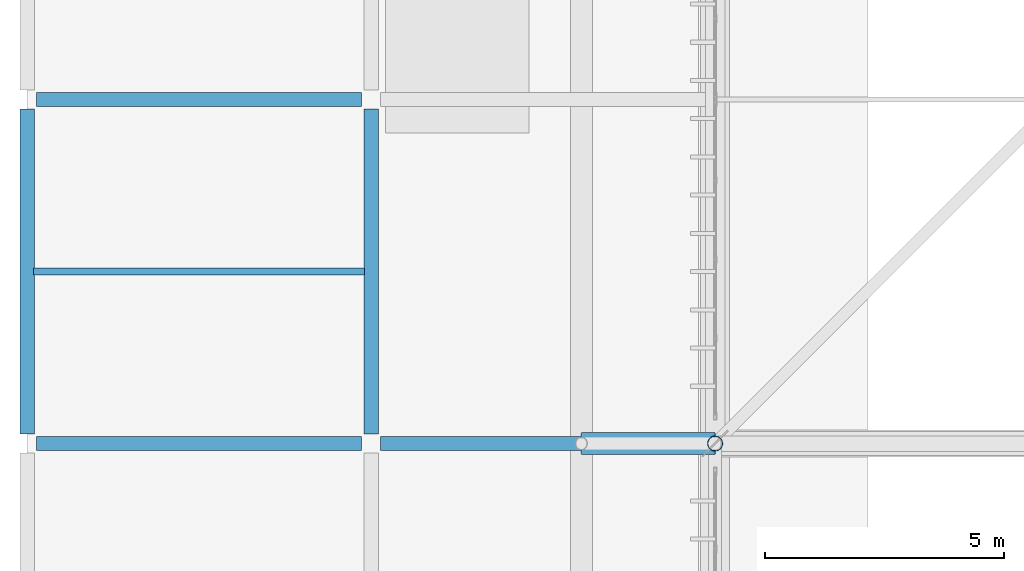
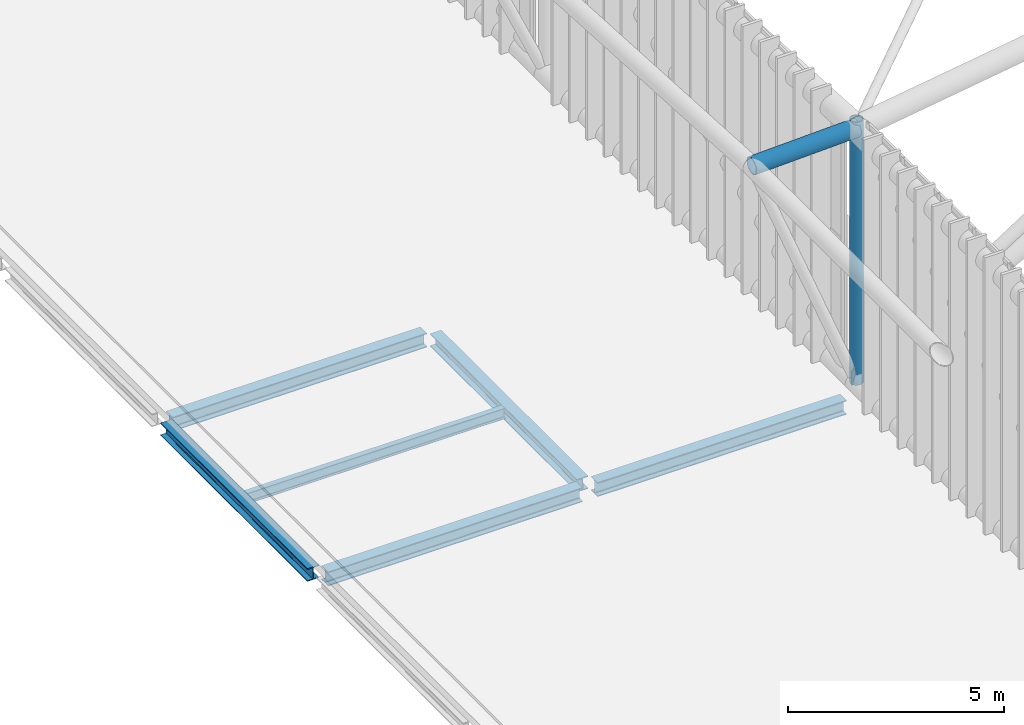
# One storey, part 174 of 397: 7 beams, 1 member.
"""IFC4 building model written with IfcOpenShell, lengths in metres."""

from ifc_helpers import new_model, si_unit, direction, frame, origin, origin_2d, place, context, subcontext, project, spatial, hollow_circle, i_section, extrude, material, material_profile, profile_set, type_object, element, save


model = new_model("IFC4")

# Units and contexts
model_context = context("Model", 3, precision=1e-05, world=origin(), true_north=direction((0.0, 1.0)))
body_context = subcontext(model_context, "Body", "Model", "MODEL_VIEW")
ifc_project = project(units=[si_unit("LENGTHUNIT", "METRE"), si_unit("AREAUNIT", "SQUARE_METRE"), si_unit("VOLUMEUNIT", "CUBIC_METRE"), si_unit("PLANEANGLEUNIT", "RADIAN"), si_unit("MASSUNIT", "GRAM", prefix="KILO")], contexts=[model_context])

# Site, building, storey
site_placement = place(None, origin())
site = spatial("IfcSite", under=ifc_project, at=site_placement, CompositionType="ELEMENT")
building_placement = place(site_placement, origin())
building = spatial("IfcBuilding", under=site, at=building_placement, Name="Qandorah Velis Arena", CompositionType="ELEMENT")
storey_placement = place(building_placement, frame((0.0, 0.0, 27.5)))
storey = spatial("IfcBuildingStorey", under=building, at=storey_placement, Name="RF", CompositionType="ELEMENT", Elevation=27.5)

# Beams
ifc_material = material(Name="Steel S355", Category="steel")
ifc_material_profile_1 = material_profile(ifc_material, i_section(OverallWidth=0.300048828125, OverallDepth=0.360107421875, WebThickness=0.012451171875, FlangeThickness=0.0224609375, FilletRadius=0.027099609375, at=origin_2d()), Name="HEB 360")
ifc_profile_set_1 = profile_set([ifc_material_profile_1], Name="Steel S355")
beam_type_1 = type_object("IfcBeamType", Name="STR-BM-HEB360", PredefinedType="BEAM", material=ifc_profile_set_1)
for number, where, z_axis, x_axis, name in (
    (1, (0.0, 72.199951171875, -0.39990234375), (0.0, 1.0, 0.0), (-1.0, 0.0, 0.0), "Primary floor girder RF Y-070"),
    (2, (7.199951171875, 72.199951171875, -0.39990234375), (0.0, 1.0, 0.0), (-1.0, 0.0, 0.0), "Primary floor girder RF Y-082"),
):
    element("IfcBeam", number, at=place(storey_placement, frame(where, z_axis=z_axis, x_axis=x_axis)), inside=storey, type_object=beam_type_1, Name=name, PredefinedType="BEAM", context=body_context, shape_type="SweptSolid", body=[
        extrude(i_section(OverallWidth=0.300048828125, OverallDepth=0.360107421875, WebThickness=0.012451171875, FlangeThickness=0.0224609375, FilletRadius=0.027099609375, at=origin_2d()), origin(), (0.0, 0.0, 1.0), 6.800048828125),
    ])
ifc_material_profile_2 = material_profile(ifc_material, i_section(OverallWidth=0.300048828125, OverallDepth=0.39990234375, WebThickness=0.013427734375, FlangeThickness=0.02392578125, FilletRadius=0.027099609375, at=origin_2d()), Name="HEB 400")
ifc_profile_set_2 = profile_set([ifc_material_profile_2], Name="Steel S355")
beam_type_2 = type_object("IfcBeamType", Name="STR-BM-HEB400", PredefinedType="BEAM", material=ifc_profile_set_2)
beam_1_placement = place(storey_placement, frame((0.199951171875, 72.0, -0.419921875), z_axis=(1.0, 0.0, 0.0), x_axis=(0.0, 1.0, 0.0)))
element("IfcBeam", 3, at=beam_1_placement, inside=storey, type_object=beam_type_2, Name="Primary floor girder RF X-033", PredefinedType="BEAM", context=body_context, shape_type="SweptSolid", body=[
    extrude(i_section(OverallWidth=0.300048828125, OverallDepth=0.39990234375, WebThickness=0.013427734375, FlangeThickness=0.02392578125, FilletRadius=0.027099609375, at=origin_2d()), origin(), (0.0, 0.0, 1.0), 6.800048828125),
])
beam_2_placement = place(storey_placement, frame((7.39990234375, 72.0, -0.419921875), z_axis=(1.0, 0.0, 0.0), x_axis=(0.0, 1.0, 0.0)))
element("IfcBeam", 4, at=beam_2_placement, inside=storey, type_object=beam_type_2, Name="Primary floor girder RF X-034", PredefinedType="BEAM", context=body_context, shape_type="SweptSolid", body=[
    extrude(i_section(OverallWidth=0.300048828125, OverallDepth=0.39990234375, WebThickness=0.013427734375, FlangeThickness=0.02392578125, FilletRadius=0.027099609375, at=origin_2d()), origin(), (0.0, 0.0, 1.0), 6.650146484375),
])
beam_3_placement = place(storey_placement, frame((0.199951171875, 79.199951171875, -0.419921875), z_axis=(1.0, 0.0, 0.0), x_axis=(0.0, 1.0, 0.0)))
element("IfcBeam", 5, at=beam_3_placement, inside=storey, type_object=beam_type_2, Name="Primary floor girder RF X-035", PredefinedType="BEAM", context=body_context, shape_type="SweptSolid", body=[
    extrude(i_section(OverallWidth=0.300048828125, OverallDepth=0.39990234375, WebThickness=0.013427734375, FlangeThickness=0.02392578125, FilletRadius=0.027099609375, at=origin_2d()), origin(), (0.0, 0.0, 1.0), 6.800048828125),
])
ifc_material_profile_3 = material_profile(ifc_material, i_section(OverallWidth=0.14990234375, OverallDepth=0.300048828125, WebThickness=0.007080078125, FlangeThickness=0.0107421875, FilletRadius=0.014892578125, at=origin_2d()), Name="IPE 300")
ifc_profile_set_3 = profile_set([ifc_material_profile_3], Name="Steel S355")
beam_type_3 = type_object("IfcBeamType", Name="STR-JST-IPE300", PredefinedType="JOIST", material=ifc_profile_set_3)
beam_4_placement = place(storey_placement, frame((0.135009765625, 75.60009765625, -0.3701171875), z_axis=(1.0, 0.0, 0.0), x_axis=(0.0, 1.0, 0.0)))
element("IfcBeam", 6, at=beam_4_placement, inside=storey, type_object=beam_type_3, Name="Secondary floor joist RF-008", PredefinedType="JOIST", context=body_context, shape_type="SweptSolid", body=[
    extrude(i_section(OverallWidth=0.14990234375, OverallDepth=0.300048828125, WebThickness=0.007080078125, FlangeThickness=0.0107421875, FilletRadius=0.014892578125, at=origin_2d()), origin(), (0.0, 0.0, 1.0), 6.929931640625),
])
ifc_material_profile_4 = material_profile(ifc_material, hollow_circle(Radius=0.228515625, WallThickness=0.01611328125, at=origin_2d()), Name="CHS 457x16")
ifc_profile_set_4 = profile_set([ifc_material_profile_4], Name="Steel S355")
beam_type_4 = type_object("IfcBeamType", Name="STR-SFC-CHS457X16", PredefinedType="USERDEFINED", material=ifc_profile_set_4)
beam_5_placement = place(storey_placement, frame((14.39990234375, 72.0, 7.2705078125), z_axis=(-0.999364629289, 0.0, -0.035641797469), x_axis=(0.0, -1.0, 0.0)))
element("IfcBeam", 7, at=beam_5_placement, inside=storey, type_object=beam_type_4, Name="Space frame eave outrigger W-4", ObjectType="ROOF TRUSS", PredefinedType="USERDEFINED", context=body_context, shape_type="SweptSolid", body=[
    extrude(hollow_circle(Radius=0.228515625, WallThickness=0.01611328125, at=origin_2d()), origin(), (0.0, 0.0, 1.0), 2.801513671875),
])

# Member
ifc_material_profile_5 = material_profile(ifc_material, hollow_circle(Radius=0.161865234375, WallThickness=0.01611328125, at=origin_2d()), Name="CHS 323.9x16")
ifc_profile_set_5 = profile_set([ifc_material_profile_5], Name="Steel S355")
member_type = type_object("IfcMemberType", Name="STR-SFD-CHS323X16", PredefinedType="CHORD", material=ifc_profile_set_5)
member_placement = place(storey_placement, frame((14.39990234375, 72.0, 0.10009765625), z_axis=(0.0, 0.0, 1.0), x_axis=(1.0, 0.0, 0.0)))
element("IfcMember", 8, at=member_placement, inside=storey, type_object=member_type, Name="Space frame roof vertical post 0.4", PredefinedType="CHORD", context=body_context, shape_type="SweptSolid", body=[
    extrude(hollow_circle(Radius=0.161865234375, WallThickness=0.01611328125, at=origin_2d()), origin(), (0.0, 0.0, 1.0), 7.430419921875),
])

save(model, "model.ifc")
